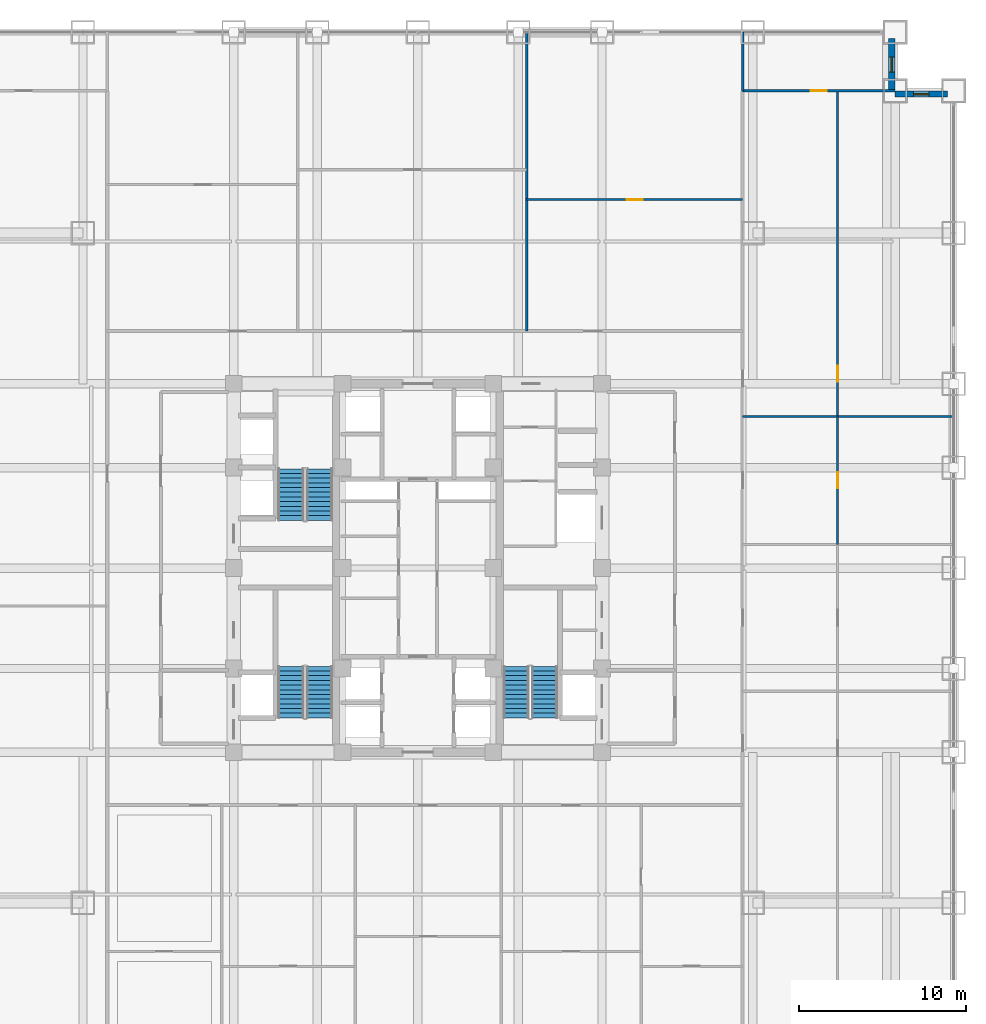
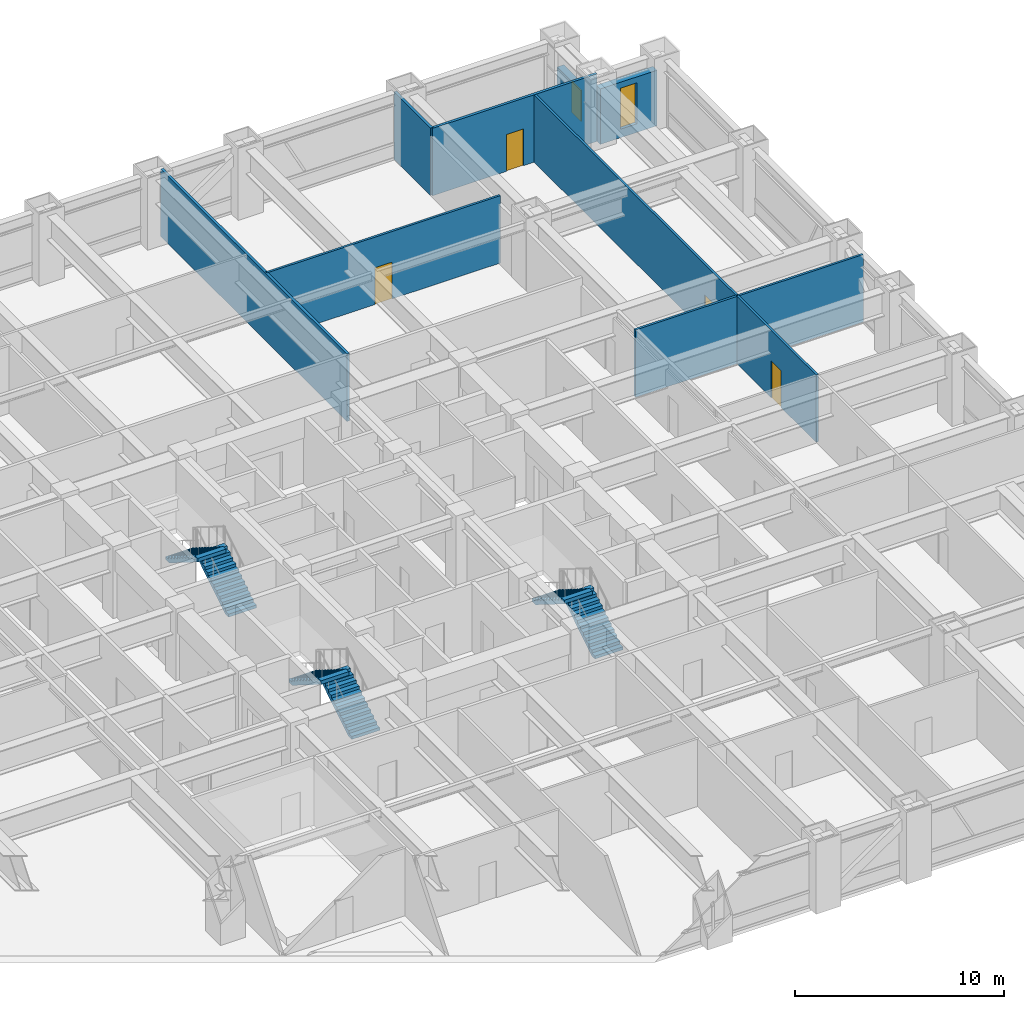
# One storey, part 27 of 29: 9 walls, 6 stair flights, 4 doors, 2 windows, 6 openings, 3 elements without a shape of their own.
"""IFC4 building model written with IfcOpenShell, lengths in metres."""

from ifc_helpers import new_model, si_unit, direction, frame, frame_2d, origin, place, context, subcontext, project, spatial, polyline, rectangle, outline, extrude, source, transform, mapped, material, layer, layer_set, type_object, element, fill, aggregate, save


model = new_model("IFC4")

# Units and contexts
model_context = context("Model", 3, precision=1e-05, world=origin(), true_north=direction((0.0, 1.0)))
body_context = subcontext(model_context, "Body", "Model", "MODEL_VIEW")
ifc_project = project(units=[si_unit("LENGTHUNIT", "METRE"), si_unit("AREAUNIT", "SQUARE_METRE"), si_unit("VOLUMEUNIT", "CUBIC_METRE"), si_unit("PLANEANGLEUNIT", "RADIAN"), si_unit("MASSUNIT", "GRAM", prefix="KILO")], contexts=[model_context])

# Site, building, storey
site_placement = place(None, origin())
site = spatial("IfcSite", under=ifc_project, at=site_placement, CompositionType="ELEMENT")
building_placement = place(site_placement, origin())
building = spatial("IfcBuilding", under=site, at=building_placement, Name="Khorayat Bourse Tower", CompositionType="ELEMENT")
storey_placement = place(building_placement, frame((0.0, 0.0, 87.199951171875)))
storey = spatial("IfcBuildingStorey", under=building, at=storey_placement, Name="L19", CompositionType="ELEMENT", Elevation=87.199951171875)

# Wall, opening, window
ifc_material_1 = material(Name="Precast concrete C45/55", Category="concrete")
ifc_layer_1 = layer(ifc_material_1, 0.3798828125)
ifc_layer_set_1 = layer_set([ifc_layer_1], Name="Precast concrete C45/55")
wall_type_1 = type_object("IfcWallType", Name="WAL-EXT-STONE-380", PredefinedType="STANDARD", material=ifc_layer_set_1)
shared_shape_1 = source(origin(), body_context, "Body", "SweptSolid", [
    extrude(rectangle(XDim=3.1201171875, YDim=0.3798828125, at=frame_2d((1.56005859375, 0.0))), origin(), (0.0, 0.0, 1.0), 3.2451171875),
])
wall_1_placement = place(storey_placement, frame((28.5, 28.31005859375, 0.0), z_axis=(0.0, 0.0, 1.0), x_axis=(1.0, 0.0, 0.0)))
wall_1 = element("IfcWall", 1, at=wall_1_placement, inside=storey, type_object=wall_type_1, Name="L19 Re-Entrant Notch Limestone Wall NE-H", PredefinedType="STANDARD", context=body_context, shape_type="MappedRepresentation", body=[
    mapped(shared_shape_1, transform((0.0, 0.0, 0.0), scale=1.0)),
])
shared_shape_2 = source(origin(), body_context, "Body", "SweptSolid", [
    extrude(rectangle(XDim=0.89990234375, YDim=2.39990234375, at=frame_2d((0.449951171875, 1.199951171875))), frame((0.0, 0.199951171875, 0.0), z_axis=(0.0, -1.0, 0.0), x_axis=(1.0, 0.0, 0.0)), (0.0, 0.0, 1.0), 0.39990234375),
])
opening_1_placement = place(wall_1_placement, frame((1.110107421875, 0.0, 0.5)))
opening_1 = element("IfcOpeningElement", 2, at=opening_1_placement, cuts=wall_1, Name="Opening WN-03", PredefinedType="OPENING", context=body_context, shape_type="MappedRepresentation", body=[
    mapped(shared_shape_2, transform((0.0, 0.0, 0.0), scale=1.0)),
])
ifc_material_2 = material(Name="Deep-reveal solar-control double glazing", Category="glass")
window_type = type_object("IfcWindowType", Name="WIN-SLOT-900x2400", PartitioningType="SINGLE_PANEL", PredefinedType="WINDOW", material=ifc_material_2)
shared_shape_3 = source(origin(), body_context, "Body", "SweptSolid", [
    extrude(rectangle(XDim=0.89990234375, YDim=2.39990234375, at=frame_2d((0.449951171875, 1.199951171875))), frame((0.0, 0.030029296875, 0.0), z_axis=(0.0, -1.0, 0.0), x_axis=(1.0, 0.0, 0.0)), (0.0, 0.0, 1.0), 0.06005859375),
])
window_1_placement = place(opening_1_placement, origin())
window_1 = element("IfcWindow", 3, at=window_1_placement, inside=storey, type_object=window_type, Name="L19 Facade Window 1", OverallHeight=2.39990234375, OverallWidth=0.89990234375, PartitioningType="SINGLE_PANEL", PredefinedType="WINDOW", context=body_context, shape_type="MappedRepresentation", body=[
    mapped(shared_shape_3, transform((0.0, 0.0, 0.0), scale=1.0)),
])
fill(opening_1, window_1)

shared_shape_4 = source(origin(), body_context, "Body", "SweptSolid", [
    extrude(rectangle(XDim=3.1201171875, YDim=0.3798828125, at=frame_2d((1.56005859375, 0.0))), origin(), (0.0, 0.0, 1.0), 2.5400390625),
])
wall_2_placement = place(storey_placement, frame((28.31005859375, 28.5, 0.0), z_axis=(0.0, 0.0, 1.0), x_axis=(0.0, 1.0, 0.0)))
wall_2 = element("IfcWall", 4, at=wall_2_placement, inside=storey, type_object=wall_type_1, Name="L19 Re-Entrant Notch Limestone Wall NE-V", PredefinedType="STANDARD", context=body_context, shape_type="MappedRepresentation", body=[
    mapped(shared_shape_4, transform((0.0, 0.0, 0.0), scale=1.0)),
])
shared_shape_5 = source(origin(), body_context, "Body", "SweptSolid", [
    extrude(rectangle(XDim=0.89990234375, YDim=1.820068359375, at=frame_2d((0.449951171875, 0.91015625))), frame((0.0, 0.199951171875, 0.0), z_axis=(0.0, -1.0, 0.0), x_axis=(1.0, 0.0, 0.0)), (0.0, 0.0, 1.0), 0.39990234375),
])
opening_2_placement = place(wall_2_placement, frame((1.110107421875, 0.0, 0.5)))
opening_2 = element("IfcOpeningElement", 5, at=opening_2_placement, cuts=wall_2, Name="Opening WN-03", PredefinedType="OPENING", context=body_context, shape_type="MappedRepresentation", body=[
    mapped(shared_shape_5, transform((0.0, 0.0, 0.0), scale=1.0)),
])
shared_shape_6 = source(origin(), body_context, "Body", "SweptSolid", [
    extrude(rectangle(XDim=0.89990234375, YDim=1.820068359375, at=frame_2d((0.449951171875, 0.91015625))), frame((0.0, 0.030029296875, 0.0), z_axis=(0.0, -1.0, 0.0), x_axis=(1.0, 0.0, 0.0)), (0.0, 0.0, 1.0), 0.06005859375),
])
window_2_placement = place(opening_2_placement, origin())
window_2 = element("IfcWindow", 6, at=window_2_placement, inside=storey, type_object=window_type, Name="L19 Facade Window 1", OverallHeight=1.820068359375, OverallWidth=0.89990234375, PartitioningType="SINGLE_PANEL", PredefinedType="WINDOW", context=body_context, shape_type="MappedRepresentation", body=[
    mapped(shared_shape_6, transform((0.0, 0.0, 0.0), scale=1.0)),
])
fill(opening_2, window_2)

# Walls
ifc_material_3 = material(Name="Gypsum plasterboard twin-frame partition")
ifc_layer_2 = layer(ifc_material_3, 0.14990234375)
ifc_layer_set_2 = layer_set([ifc_layer_2], Name="Gypsum plasterboard twin-frame partition")
wall_type_2 = type_object("IfcWallType", Name="WAL-PART-SUITE-150", PredefinedType="PARTITIONING", material=ifc_layer_set_2)
shared_shape_7 = source(origin(), body_context, "Body", "SweptSolid", [
    extrude(rectangle(XDim=3.5, YDim=0.14990234375, at=frame_2d((1.75, 0.0))), origin(), (0.0, 0.0, 1.0), 3.93994140625),
])
wall_3_placement = place(storey_placement, frame((19.39990234375, 28.5, 0.0), z_axis=(0.0, 0.0, 1.0), x_axis=(0.0, 1.0, 0.0)))
element("IfcWall", 7, at=wall_3_placement, inside=storey, type_object=wall_type_2, Name="L19 Partition WAL-L19-NCE-END", PredefinedType="PARTITIONING", context=body_context, shape_type="MappedRepresentation", body=[
    mapped(shared_shape_7, transform((0.0, 0.0, 0.0), scale=1.0)),
])
shared_shape_8 = source(origin(), body_context, "Body", "SweptSolid", [
    extrude(rectangle(XDim=17.85009765625, YDim=0.14990234375, at=frame_2d((8.925048828125, 0.0))), origin(), (0.0, 0.0, 1.0), 3.93994140625),
])
wall_4_placement = place(storey_placement, frame((6.4970703125, 14.14990234375, 0.0), z_axis=(0.0, 0.0, 1.0), x_axis=(0.0, 1.0, 0.0)))
element("IfcWall", 8, at=wall_4_placement, inside=storey, type_object=wall_type_2, Name="L19 Partition WAL-L19-NDV-2", PredefinedType="PARTITIONING", context=body_context, shape_type="MappedRepresentation", body=[
    mapped(shared_shape_8, transform((0.0, 0.0, 0.0), scale=1.0)),
])

# Wall, opening, door
shared_shape_9 = source(origin(), body_context, "Body", "SweptSolid", [
    extrude(rectangle(XDim=9.10009765625, YDim=0.14990234375, at=frame_2d((4.550048828125, 0.0))), origin(), (0.0, 0.0, 1.0), 3.93994140625),
])
wall_5_placement = place(storey_placement, frame((19.39990234375, 28.5, 0.0), z_axis=(0.0, 0.0, 1.0), x_axis=(1.0, 0.0, 0.0)))
wall_5 = element("IfcWall", 9, at=wall_5_placement, inside=storey, type_object=wall_type_2, Name="L19 Partition WAL-L19-CNE", PredefinedType="PARTITIONING", context=body_context, shape_type="MappedRepresentation", body=[
    mapped(shared_shape_9, transform((0.0, 0.0, 0.0), scale=1.0)),
])
shared_shape_10 = source(origin(), body_context, "Body", "SweptSolid", [
    extrude(rectangle(XDim=0.949951171875, YDim=2.14990234375, at=frame_2d((0.47509765625, 1.074951171875))), frame((0.0, 0.0849609375, 0.0), z_axis=(0.0, -1.0, 0.0), x_axis=(1.0, 0.0, 0.0)), (0.0, 0.0, 1.0), 0.169921875),
])
opening_3_placement = place(wall_5_placement, frame((4.074951171875, 0.0, 0.0)))
opening_3 = element("IfcOpeningElement", 10, at=opening_3_placement, cuts=wall_5, Name="Opening DI-05", PredefinedType="OPENING", context=body_context, shape_type="MappedRepresentation", body=[
    mapped(shared_shape_10, transform((0.0, 0.0, 0.0), scale=1.0)),
])
ifc_material_4 = material(Name="Acoustic oak veneer office door")
door_type = type_object("IfcDoorType", Name="DR-INT-OFFICE-950", OperationType="NOTDEFINED", PredefinedType="DOOR", material=ifc_material_4)
shared_shape_11 = source(origin(), body_context, "Body", "SweptSolid", [
    extrude(rectangle(XDim=0.949951171875, YDim=2.14990234375, at=frame_2d((0.47509765625, 1.074951171875))), frame((0.0, 0.02490234375, 0.0), z_axis=(0.0, -1.0, 0.0), x_axis=(1.0, 0.0, 0.0)), (0.0, 0.0, 1.0), 0.050048828125),
])
door_1_placement = place(opening_3_placement, origin())
door_1 = element("IfcDoor", 11, at=door_1_placement, inside=storey, type_object=door_type, Name="L19 North-East Corner Lounge Door", OperationType="SINGLE_SWING_LEFT", OverallHeight=2.14990234375, OverallWidth=0.949951171875, PredefinedType="DOOR", context=body_context, shape_type="MappedRepresentation", body=[
    mapped(shared_shape_11, transform((0.0, 0.0, 0.0), scale=1.0)),
])
fill(opening_3, door_1)

# Wall
ifc_material_5 = material(Name="Gypsum plasterboard partition")
ifc_layer_3 = layer(ifc_material_5, 0.125)
ifc_layer_set_3 = layer_set([ifc_layer_3], Name="Gypsum plasterboard partition")
wall_type_3 = type_object("IfcWallType", Name="WAL-PART-ROOM-125", PredefinedType="PARTITIONING", material=ifc_layer_set_3)
shared_shape_12 = source(origin(), body_context, "Body", "SweptSolid", [
    extrude(rectangle(XDim=12.60009765625, YDim=0.125, at=frame_2d((6.300048828125, 0.0))), origin(), (0.0, 0.0, 1.0), 3.93994140625),
])
wall_6_placement = place(storey_placement, frame((19.39990234375, 9.055908203125, 0.0), z_axis=(0.0, 0.0, 1.0), x_axis=(1.0, 0.0, 0.0)))
element("IfcWall", 12, at=wall_6_placement, inside=storey, type_object=wall_type_3, Name="L19 Partition WAL-L19-EDV-3", PredefinedType="PARTITIONING", context=body_context, shape_type="MappedRepresentation", body=[
    mapped(shared_shape_12, transform((0.0, 0.0, 0.0), scale=1.0)),
])

# Wall, opening, door
shared_shape_13 = source(origin(), body_context, "Body", "SweptSolid", [
    extrude(rectangle(XDim=12.90283203125, YDim=0.125, at=frame_2d((6.451416015625, 0.0))), origin(), (0.0, 0.0, 1.0), 3.93994140625),
])
wall_7_placement = place(storey_placement, frame((6.4970703125, 22.00390625, 0.0), z_axis=(0.0, 0.0, 1.0), x_axis=(1.0, 0.0, 0.0)))
wall_7 = element("IfcWall", 13, at=wall_7_placement, inside=storey, type_object=wall_type_3, Name="L19 Partition WAL-L19-NDP-3", PredefinedType="PARTITIONING", context=body_context, shape_type="MappedRepresentation", body=[
    mapped(shared_shape_13, transform((0.0, 0.0, 0.0), scale=1.0)),
])
shared_shape_14 = source(origin(), body_context, "Body", "SweptSolid", [
    extrude(rectangle(XDim=0.949951171875, YDim=2.14990234375, at=frame_2d((0.47509765625, 1.074951171875))), frame((0.0, 0.072509765625, 0.0), z_axis=(0.0, -1.0, 0.0), x_axis=(1.0, 0.0, 0.0)), (0.0, 0.0, 1.0), 0.14501953125),
])
opening_4_placement = place(wall_7_placement, frame((5.9765625, 0.0, 0.0)))
opening_4 = element("IfcOpeningElement", 14, at=opening_4_placement, cuts=wall_7, Name="Opening DI-05", PredefinedType="OPENING", context=body_context, shape_type="MappedRepresentation", body=[
    mapped(shared_shape_14, transform((0.0, 0.0, 0.0), scale=1.0)),
])
door_2_placement = place(opening_4_placement, origin())
door_2 = element("IfcDoor", 15, at=door_2_placement, inside=storey, type_object=door_type, Name="L19 Members Club Room N3B Door", OperationType="SINGLE_SWING_RIGHT", OverallHeight=2.14990234375, OverallWidth=0.949951171875, PredefinedType="DOOR", context=body_context, shape_type="MappedRepresentation", body=[
    mapped(shared_shape_11, transform((0.0, 0.0, 0.0), scale=1.0)),
])
fill(opening_4, door_2)

shared_shape_15 = source(origin(), body_context, "Body", "SweptSolid", [
    extrude(rectangle(XDim=7.640869140625, YDim=0.125, at=frame_2d((3.8203125, 0.0))), origin(), (0.0, 0.0, 1.0), 3.93994140625),
])
wall_8_placement = place(storey_placement, frame((25.070068359375, 1.4150390625, 0.0), z_axis=(0.0, 0.0, 1.0), x_axis=(0.0, 1.0, 0.0)))
wall_8 = element("IfcWall", 16, at=wall_8_placement, inside=storey, type_object=wall_type_3, Name="L19 Partition WAL-L19-EDP-3", PredefinedType="PARTITIONING", context=body_context, shape_type="MappedRepresentation", body=[
    mapped(shared_shape_15, transform((0.0, 0.0, 0.0), scale=1.0)),
])
opening_5_placement = place(wall_8_placement, frame((3.345458984375, 0.0, 0.0)))
opening_5 = element("IfcOpeningElement", 17, at=opening_5_placement, cuts=wall_8, Name="Opening DI-05", PredefinedType="OPENING", context=body_context, shape_type="MappedRepresentation", body=[
    mapped(shared_shape_14, transform((0.0, 0.0, 0.0), scale=1.0)),
])
door_3_placement = place(opening_5_placement, origin())
door_3 = element("IfcDoor", 18, at=door_3_placement, inside=storey, type_object=door_type, Name="L19 Quantitative Research Study E3B Door", OperationType="SINGLE_SWING_RIGHT", OverallHeight=2.14990234375, OverallWidth=0.949951171875, PredefinedType="DOOR", context=body_context, shape_type="MappedRepresentation", body=[
    mapped(shared_shape_11, transform((0.0, 0.0, 0.0), scale=1.0)),
])
fill(opening_5, door_3)

shared_shape_16 = source(origin(), body_context, "Body", "SweptSolid", [
    extrude(rectangle(XDim=19.444091796875, YDim=0.125, at=frame_2d((9.72216796875, 0.0))), origin(), (0.0, 0.0, 1.0), 3.93994140625),
])
wall_9_placement = place(storey_placement, frame((25.070068359375, 9.055908203125, 0.0), z_axis=(0.0, 0.0, 1.0), x_axis=(0.0, 1.0, 0.0)))
wall_9 = element("IfcWall", 19, at=wall_9_placement, inside=storey, type_object=wall_type_3, Name="L19 Partition WAL-L19-EDP-4", PredefinedType="PARTITIONING", context=body_context, shape_type="MappedRepresentation", body=[
    mapped(shared_shape_16, transform((0.0, 0.0, 0.0), scale=1.0)),
])
opening_6_placement = place(wall_9_placement, frame((2.072021484375, 0.0, 0.0)))
opening_6 = element("IfcOpeningElement", 20, at=opening_6_placement, cuts=wall_9, Name="Opening DI-05", PredefinedType="OPENING", context=body_context, shape_type="MappedRepresentation", body=[
    mapped(shared_shape_14, transform((0.0, 0.0, 0.0), scale=1.0)),
])
door_4_placement = place(opening_6_placement, origin())
door_4 = element("IfcDoor", 21, at=door_4_placement, inside=storey, type_object=door_type, Name="L19 Executive Boardroom E4B Door", OperationType="SINGLE_SWING_LEFT", OverallHeight=2.14990234375, OverallWidth=0.949951171875, PredefinedType="DOOR", context=body_context, shape_type="MappedRepresentation", body=[
    mapped(shared_shape_11, transform((0.0, 0.0, 0.0), scale=1.0)),
])
fill(opening_6, door_4)

# Stair, stair flights
ifc_material_6 = material(Name="Concrete C40/50", Category="concrete")
stair_type = type_object("IfcStairType", Name="STR-CORE-1550", PredefinedType="HALF_TURN_STAIR", material=ifc_material_6)
stair_1_placement = place(storey_placement, origin())
stair_1 = element("IfcStair", 22, at=stair_1_placement, inside=storey, type_object=stair_type, Name="L19 Exit Stair ST-1", PredefinedType="HALF_TURN_STAIR")
stair_flight_type = type_object("IfcStairFlightType", Name="FLT-CORE-1550", PredefinedType="STRAIGHT", material=ifc_material_6)
shared_shape_17 = source(origin(), body_context, "Body", "SweptSolid", [
    extrude(outline(polyline([(0.0, 0.0), (0.0, 0.175048828125), (0.280029296875, 0.175048828125), (0.280029296875, 0.35009765625), (0.56005859375, 0.35009765625), (0.56005859375, 0.52490234375), (0.840087890625, 0.52490234375), (0.840087890625, 0.699951171875), (1.1201171875, 0.699951171875), (1.1201171875, 0.875), (1.39990234375, 0.875), (1.39990234375, 1.050048828125), (1.679931640625, 1.050048828125), (1.679931640625, 1.22509765625), (1.9599609375, 1.22509765625), (1.9599609375, 1.39990234375), (2.239990234375, 1.39990234375), (2.239990234375, 1.574951171875), (2.52001953125, 1.574951171875), (2.52001953125, 1.75), (2.800048828125, 1.75), (2.800048828125, 1.925048828125), (3.080078125, 1.925048828125), (3.080078125, 2.10009765625), (3.080078125, 1.712890625), (0.339599609375, 0.0), (0.0, 0.0)])), frame((0.0, 0.77490234375, 0.0), z_axis=(0.0, -1.0, 0.0), x_axis=(1.0, 0.0, 0.0)), (0.0, 0.0, 1.0), 1.550048828125),
])
stair_flight_1_placement = place(storey_placement, frame((-5.875, -8.949951171875, 0.0), z_axis=(0.0, 0.0, 1.0), x_axis=(0.0, 1.0, 0.0)))
stair_flight_1 = element("IfcStairFlight", 23, at=stair_flight_1_placement, type_object=stair_flight_type, Name="ST-1 flight 1", NumberOfRisers=12, NumberOfTreads=11, PredefinedType="STRAIGHT", RiserHeight=0.175, TreadLength=0.28, context=body_context, shape_type="MappedRepresentation", body=[
    mapped(shared_shape_17, transform((0.0, 0.0, 0.0), scale=1.0)),
])
stair_flight_2_placement = place(storey_placement, frame((-7.574951171875, -5.8701171875, 2.10009765625), z_axis=(0.0, 0.0, 1.0), x_axis=(0.0, -1.0, 0.0)))
stair_flight_2 = element("IfcStairFlight", 24, at=stair_flight_2_placement, type_object=stair_flight_type, Name="ST-1 flight 2", NumberOfRisers=12, NumberOfTreads=11, PredefinedType="STRAIGHT", RiserHeight=0.175, TreadLength=0.28, context=body_context, shape_type="MappedRepresentation", body=[
    mapped(shared_shape_17, transform((0.0, 0.0, 0.0), scale=1.0)),
])
aggregate(stair_1, [stair_flight_1, stair_flight_2])

stair_2_placement = place(storey_placement, origin())
stair_2 = element("IfcStair", 25, at=stair_2_placement, inside=storey, type_object=stair_type, Name="L19 Exit Stair ST-2", PredefinedType="HALF_TURN_STAIR")
stair_flight_3_placement = place(storey_placement, frame((-5.875, 2.85009765625, 0.0), z_axis=(0.0, 0.0, 1.0), x_axis=(0.0, 1.0, 0.0)))
stair_flight_3 = element("IfcStairFlight", 26, at=stair_flight_3_placement, type_object=stair_flight_type, Name="ST-2 flight 1", NumberOfRisers=12, NumberOfTreads=11, PredefinedType="STRAIGHT", RiserHeight=0.175, TreadLength=0.28, context=body_context, shape_type="MappedRepresentation", body=[
    mapped(shared_shape_17, transform((0.0, 0.0, 0.0), scale=1.0)),
])
stair_flight_4_placement = place(storey_placement, frame((-7.574951171875, 5.929931640625, 2.10009765625), z_axis=(0.0, 0.0, 1.0), x_axis=(0.0, -1.0, 0.0)))
stair_flight_4 = element("IfcStairFlight", 27, at=stair_flight_4_placement, type_object=stair_flight_type, Name="ST-2 flight 2", NumberOfRisers=12, NumberOfTreads=11, PredefinedType="STRAIGHT", RiserHeight=0.175, TreadLength=0.28, context=body_context, shape_type="MappedRepresentation", body=[
    mapped(shared_shape_17, transform((0.0, 0.0, 0.0), scale=1.0)),
])
aggregate(stair_2, [stair_flight_3, stair_flight_4])

stair_3_placement = place(storey_placement, origin())
stair_3 = element("IfcStair", 28, at=stair_3_placement, inside=storey, type_object=stair_type, Name="L19 Exit Stair ST-3", PredefinedType="HALF_TURN_STAIR")
stair_flight_5_placement = place(storey_placement, frame((7.574951171875, -8.949951171875, 0.0), z_axis=(0.0, 0.0, 1.0), x_axis=(0.0, 1.0, 0.0)))
stair_flight_5 = element("IfcStairFlight", 29, at=stair_flight_5_placement, type_object=stair_flight_type, Name="ST-3 flight 1", NumberOfRisers=12, NumberOfTreads=11, PredefinedType="STRAIGHT", RiserHeight=0.175, TreadLength=0.28, context=body_context, shape_type="MappedRepresentation", body=[
    mapped(shared_shape_17, transform((0.0, 0.0, 0.0), scale=1.0)),
])
stair_flight_6_placement = place(storey_placement, frame((5.875, -5.8701171875, 2.10009765625), z_axis=(0.0, 0.0, 1.0), x_axis=(0.0, -1.0, 0.0)))
stair_flight_6 = element("IfcStairFlight", 30, at=stair_flight_6_placement, type_object=stair_flight_type, Name="ST-3 flight 2", NumberOfRisers=12, NumberOfTreads=11, PredefinedType="STRAIGHT", RiserHeight=0.175, TreadLength=0.28, context=body_context, shape_type="MappedRepresentation", body=[
    mapped(shared_shape_17, transform((0.0, 0.0, 0.0), scale=1.0)),
])
aggregate(stair_3, [stair_flight_5, stair_flight_6])

save(model, "model.ifc")
